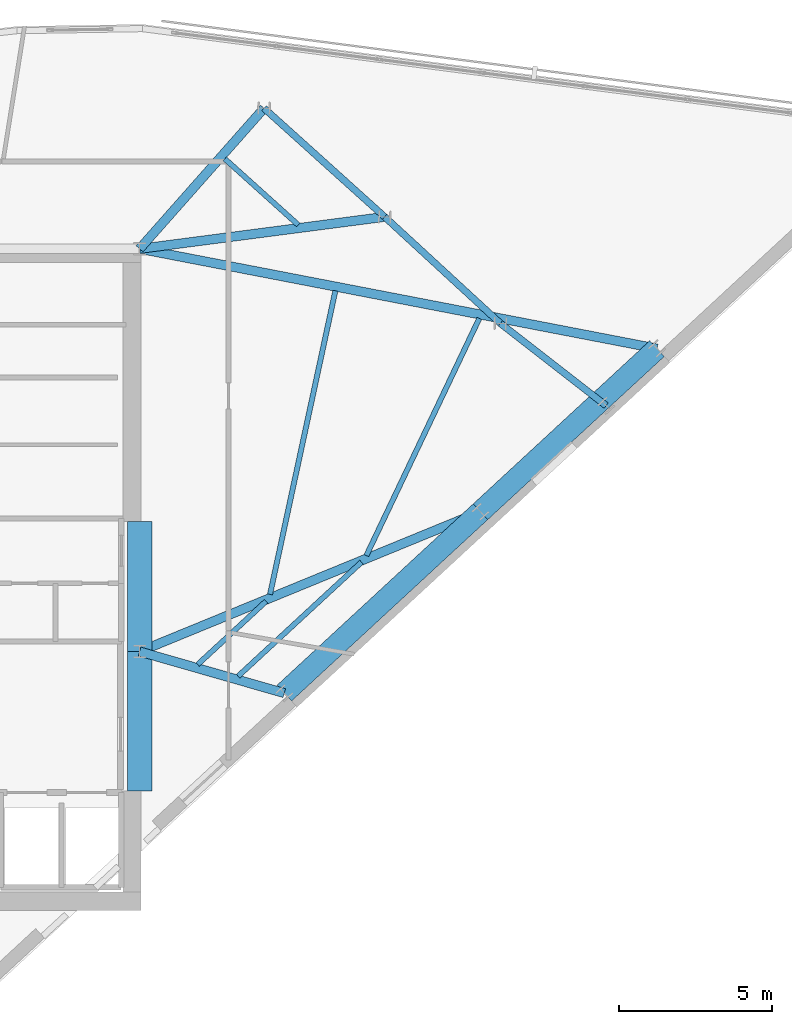
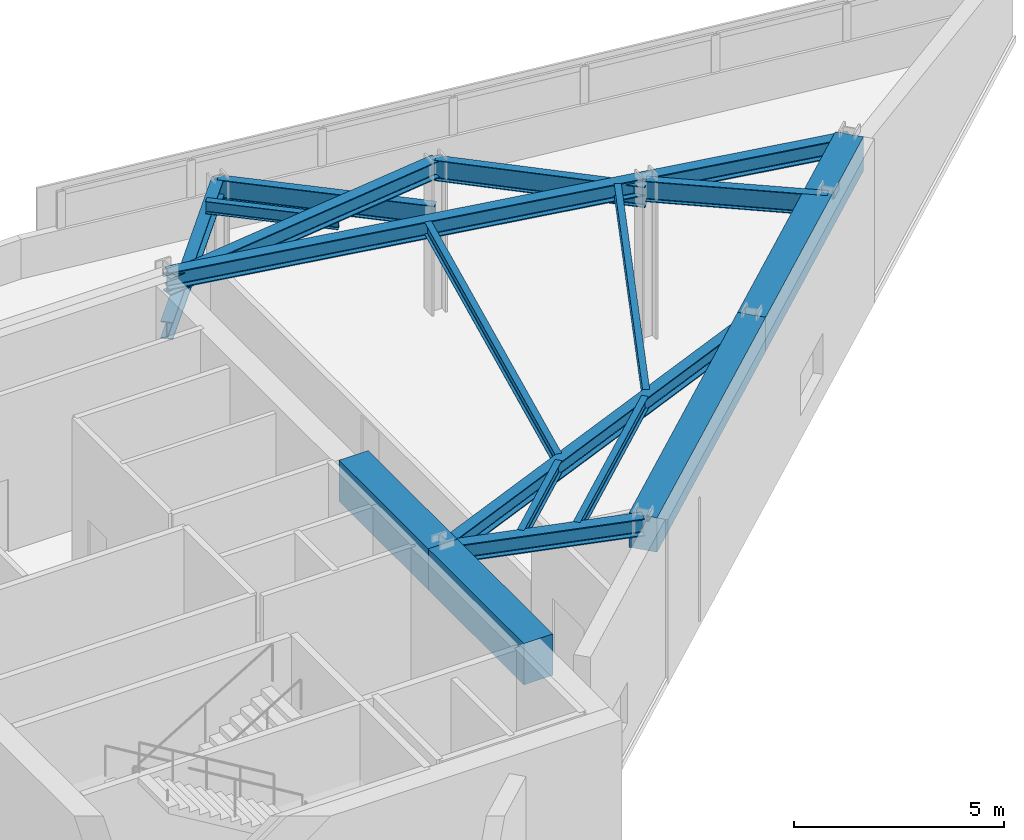
# One storey, part 5 of 12: 17 beams.
"""IFC4 building model written with IfcOpenShell, lengths in metres."""

from ifc_helpers import new_model, si_unit, direction, frame, origin, origin_2d, place, context, subcontext, project, spatial, rectangle, i_section, extrude, material, material_profile, profile_set, type_object, element, save


model = new_model("IFC4")

# Units and contexts
model_context = context("Model", 3, precision=1e-05, world=origin(), true_north=direction((0.0, 1.0)))
body_context = subcontext(model_context, "Body", "Model", "MODEL_VIEW")
ifc_project = project(units=[si_unit("LENGTHUNIT", "METRE"), si_unit("AREAUNIT", "SQUARE_METRE"), si_unit("VOLUMEUNIT", "CUBIC_METRE"), si_unit("PLANEANGLEUNIT", "RADIAN"), si_unit("MASSUNIT", "GRAM", prefix="KILO")], contexts=[model_context])

# Site, building, storey
site_placement = place(None, origin())
site = spatial("IfcSite", under=ifc_project, at=site_placement, CompositionType="ELEMENT")
building_placement = place(site_placement, origin())
building = spatial("IfcBuilding", under=site, at=building_placement, Name="Narakoshi Arena Tower", CompositionType="ELEMENT")
storey_placement = place(building_placement, frame((0.0, 0.0, 307.780029296875)))
storey = spatial("IfcBuildingStorey", under=building, at=storey_placement, Name="L83", CompositionType="ELEMENT", Elevation=307.780029296875)

# Beams
ifc_material_1 = material(Name="Concrete C60/75", Category="concrete")
ifc_material_profile_1 = material_profile(ifc_material_1, rectangle(XDim=0.699951171875, YDim=1.0, at=origin_2d()), Name="RCB700x1000")
ifc_profile_set_1 = profile_set([ifc_material_profile_1], Name="Concrete C60/75")
beam_type_1 = type_object("IfcBeamType", Name="BM-CPL-1000", PredefinedType="BEAM", material=ifc_profile_set_1)
beam_1_placement = place(storey_placement, frame((90.2734375, 41.992919921875, 4.099853515625), z_axis=(0.734326819586, 0.678796082809, 0.0), x_axis=(-0.678796082809, 0.734326819586, 0.0)))
element("IfcBeam", 1, at=beam_1_placement, inside=storey, type_object=beam_type_1, Name="L83 Perimeter Edge Girder 01", PredefinedType="BEAM", context=body_context, shape_type="SweptSolid", body=[
    extrude(rectangle(XDim=0.699951171875, YDim=1.0, at=origin_2d()), origin(), (0.0, 0.0, 1.0), 8.72265625),
])
beam_2_placement = place(storey_placement, frame((96.6787109375, 47.913818359375, 4.099853515625), z_axis=(0.734333489286, 0.678788867405, 0.0), x_axis=(-0.678788867405, 0.734333489286, 0.0)))
element("IfcBeam", 2, at=beam_2_placement, inside=storey, type_object=beam_type_1, Name="L83 Perimeter Edge Girder 02", PredefinedType="BEAM", context=body_context, shape_type="SweptSolid", body=[
    extrude(rectangle(XDim=0.699951171875, YDim=1.0, at=origin_2d()), origin(), (0.0, 0.0, 1.0), 7.85009765625),
])
ifc_material_profile_2 = material_profile(ifc_material_1, rectangle(XDim=0.800048828125, YDim=1.199951171875, at=origin_2d()), Name="RCB800x1200")
ifc_profile_set_2 = profile_set([ifc_material_profile_2], Name="Concrete C60/75")
beam_type_2 = type_object("IfcBeamType", Name="BM-CPL-1200", PredefinedType="LINTEL", material=ifc_profile_set_2)
beam_3_placement = place(storey_placement, frame((85.550048828125, 38.800048828125, 4.0), z_axis=(0.0, 1.0, 0.0), x_axis=(-1.0, 0.0, 0.0)))
element("IfcBeam", 3, at=beam_3_placement, inside=storey, type_object=beam_type_2, Name="L83 Core Seismic Coupling Beam 1", PredefinedType="LINTEL", context=body_context, shape_type="SweptSolid", body=[
    extrude(rectangle(XDim=0.800048828125, YDim=1.199951171875, at=origin_2d()), origin(), (0.0, 0.0, 1.0), 4.550048828125),
])
beam_4_placement = place(storey_placement, frame((85.550048828125, 43.35009765625, 4.0), z_axis=(0.0, 1.0, 0.0), x_axis=(-1.0, 0.0, 0.0)))
element("IfcBeam", 4, at=beam_4_placement, inside=storey, type_object=beam_type_2, Name="L83 Core Seismic Coupling Beam 2", PredefinedType="LINTEL", context=body_context, shape_type="SweptSolid", body=[
    extrude(rectangle(XDim=0.800048828125, YDim=1.199951171875, at=origin_2d()), origin(), (0.0, 0.0, 1.0), 4.25),
])
ifc_material_2 = material(Name="Structural steel S355J2", Category="steel")
ifc_material_profile_3 = material_profile(ifc_material_2, i_section(OverallWidth=0.219970703125, OverallDepth=0.60009765625, WebThickness=0.011962890625, FlangeThickness=0.01904296875, FilletRadius=0.02392578125, at=origin_2d()), Name="IPE600")
ifc_profile_set_3 = profile_set([ifc_material_profile_3], Name="Structural steel S355J2")
beam_type_3 = type_object("IfcBeamType", Name="BM-EDGE-600", PredefinedType="BEAM", material=ifc_profile_set_3)
beam_5_placement = place(storey_placement, frame((100.78173828125, 51.379638671875, 4.300048828125), z_axis=(-0.789307135535, 0.613998571491, 0.0), x_axis=(-0.613998571491, -0.789307135535, 0.0)))
element("IfcBeam", 5, at=beam_5_placement, inside=storey, type_object=beam_type_3, Name="L83 Perimeter Edge Girder 04", PredefinedType="BEAM", context=body_context, shape_type="SweptSolid", body=[
    extrude(i_section(OverallWidth=0.219970703125, OverallDepth=0.60009765625, WebThickness=0.011962890625, FlangeThickness=0.01904296875, FilletRadius=0.02392578125, at=origin_2d()), origin(), (0.0, 0.0, 1.0), 4.374267578125),
])
beam_6_placement = place(storey_placement, frame((97.3291015625, 54.0654296875, 4.1240234375), z_axis=(-0.735759504933, 0.677242903914, 0.0), x_axis=(-0.677242903914, -0.735759504933, 0.0)))
element("IfcBeam", 6, at=beam_6_placement, inside=storey, type_object=beam_type_3, Name="L83 Perimeter Edge Girder 05", PredefinedType="BEAM", context=body_context, shape_type="SweptSolid", body=[
    extrude(i_section(OverallWidth=0.219970703125, OverallDepth=0.60009765625, WebThickness=0.011962890625, FlangeThickness=0.01904296875, FilletRadius=0.02392578125, at=origin_2d()), origin(), (0.0, 0.0, 1.0), 5.135986328125),
])
beam_7_placement = place(storey_placement, frame((93.55029296875, 57.543701171875, 2.7841796875), z_axis=(-0.743147547665, 0.66912758305, 0.0), x_axis=(-0.66912758305, -0.743147547665, 0.0)))
element("IfcBeam", 7, at=beam_7_placement, inside=storey, type_object=beam_type_3, Name="L83 Perimeter Edge Girder 06", PredefinedType="BEAM", context=body_context, shape_type="SweptSolid", body=[
    extrude(i_section(OverallWidth=0.219970703125, OverallDepth=0.60009765625, WebThickness=0.011962890625, FlangeThickness=0.01904296875, FilletRadius=0.02392578125, at=origin_2d()), origin(), (0.0, 0.0, 1.0), 5.30029296875),
])
ifc_material_profile_4 = material_profile(ifc_material_2, i_section(OverallWidth=0.300048828125, OverallDepth=0.5, WebThickness=0.014404296875, FlangeThickness=0.028076171875, FilletRadius=0.027099609375, at=origin_2d()), Name="HE500B")
ifc_profile_set_4 = profile_set([ifc_material_profile_4], Name="Structural steel S355J2")
beam_type_4 = type_object("IfcBeamType", Name="BM-PRI-500", PredefinedType="BEAM", material=ifc_profile_set_4)
beam_8_placement = place(storey_placement, frame((85.550048828125, 43.35009765625, 4.349853515625), z_axis=(0.961112330887, -0.276157721993, 0.0), x_axis=(0.276157721993, 0.961112330887, 0.0)))
element("IfcBeam", 8, at=beam_8_placement, inside=storey, type_object=beam_type_4, Name="L83 Radial Primary Floor Girder 01", PredefinedType="BEAM", context=body_context, shape_type="SweptSolid", body=[
    extrude(i_section(OverallWidth=0.300048828125, OverallDepth=0.5, WebThickness=0.014404296875, FlangeThickness=0.028076171875, FilletRadius=0.027099609375, at=origin_2d()), origin(), (0.0, 0.0, 1.0), 4.91455078125),
])
beam_9_placement = place(storey_placement, frame((85.550048828125, 43.35009765625, 4.349853515625), z_axis=(0.925223618811, 0.379422265021, 0.0), x_axis=(-0.379422265021, 0.925223618811, 0.0)))
element("IfcBeam", 9, at=beam_9_placement, inside=storey, type_object=beam_type_4, Name="L83 Radial Primary Floor Girder 02", PredefinedType="BEAM", context=body_context, shape_type="SweptSolid", body=[
    extrude(i_section(OverallWidth=0.300048828125, OverallDepth=0.5, WebThickness=0.014404296875, FlangeThickness=0.028076171875, FilletRadius=0.027099609375, at=origin_2d()), origin(), (0.0, 0.0, 1.0), 12.028076171875),
])
beam_10_placement = place(storey_placement, frame((85.550048828125, 56.5, 4.349853515625), z_axis=(0.98191087483, -0.189343692505, 0.0), x_axis=(0.189343692505, 0.98191087483, 0.0)))
element("IfcBeam", 10, at=beam_10_placement, inside=storey, type_object=beam_type_4, Name="L83 Radial Primary Floor Girder 03", PredefinedType="BEAM", context=body_context, shape_type="SweptSolid", body=[
    extrude(i_section(OverallWidth=0.300048828125, OverallDepth=0.5, WebThickness=0.014404296875, FlangeThickness=0.028076171875, FilletRadius=0.027099609375, at=origin_2d()), origin(), (0.0, 0.0, 1.0), 17.20458984375),
])
beam_11_placement = place(storey_placement, frame((85.550048828125, 56.5, 4.174072265625), z_axis=(0.991597373641, 0.129362469783, 0.0), x_axis=(-0.129362469783, 0.991597373641, 0.0)))
element("IfcBeam", 11, at=beam_11_placement, inside=storey, type_object=beam_type_4, Name="L83 Radial Primary Floor Girder 06", PredefinedType="BEAM", context=body_context, shape_type="SweptSolid", body=[
    extrude(i_section(OverallWidth=0.300048828125, OverallDepth=0.5, WebThickness=0.014404296875, FlangeThickness=0.028076171875, FilletRadius=0.027099609375, at=origin_2d()), origin(), (0.0, 0.0, 1.0), 8.068115234375),
])
beam_12_placement = place(storey_placement, frame((85.550048828125, 56.5, 2.833984375), z_axis=(0.662628886894, 0.748947900894, 0.0), x_axis=(-0.748947900894, 0.662628886894, 0.0)))
element("IfcBeam", 12, at=beam_12_placement, inside=storey, type_object=beam_type_4, Name="L83 Radial Primary Floor Girder 07", PredefinedType="BEAM", context=body_context, shape_type="SweptSolid", body=[
    extrude(i_section(OverallWidth=0.300048828125, OverallDepth=0.5, WebThickness=0.014404296875, FlangeThickness=0.028076171875, FilletRadius=0.027099609375, at=origin_2d()), origin(), (0.0, 0.0, 1.0), 6.129150390625),
])
ifc_material_profile_5 = material_profile(ifc_material_2, i_section(OverallWidth=0.169921875, OverallDepth=0.360107421875, WebThickness=0.008056640625, FlangeThickness=0.0126953125, FilletRadius=0.01806640625, at=origin_2d()), Name="IPE360")
ifc_profile_set_5 = profile_set([ifc_material_profile_5], Name="Structural steel S355J2")
beam_type_5 = type_object("IfcBeamType", Name="BM-SEC-360", PredefinedType="JOIST", material=ifc_profile_set_5)
beam_13_placement = place(storey_placement, frame((87.444091796875, 42.92578125, 4.419921875), z_axis=(0.734268297495, 0.678859386982, 0.0), x_axis=(-0.678859386982, 0.734268297495, 0.0)))
element("IfcBeam", 13, at=beam_13_placement, inside=storey, type_object=beam_type_5, Name="L83 Composite Secondary Floor Joist 01", PredefinedType="JOIST", context=body_context, shape_type="SweptSolid", body=[
    extrude(i_section(OverallWidth=0.169921875, OverallDepth=0.360107421875, WebThickness=0.008056640625, FlangeThickness=0.0126953125, FilletRadius=0.01806640625, at=origin_2d()), origin(), (0.0, 0.0, 1.0), 3.044677734375),
])
beam_14_placement = place(storey_placement, frame((88.7666015625, 42.5458984375, 4.419921875), z_axis=(0.734325629348, 0.678797370415, 0.0), x_axis=(-0.678797370415, 0.734325629348, 0.0)))
element("IfcBeam", 14, at=beam_14_placement, inside=storey, type_object=beam_type_5, Name="L83 Composite Secondary Floor Joist 02", PredefinedType="JOIST", context=body_context, shape_type="SweptSolid", body=[
    extrude(i_section(OverallWidth=0.169921875, OverallDepth=0.360107421875, WebThickness=0.008056640625, FlangeThickness=0.0126953125, FilletRadius=0.01806640625, at=origin_2d()), origin(), (0.0, 0.0, 1.0), 5.487060546875),
])
beam_15_placement = place(storey_placement, frame((89.807373046875, 45.21630859375, 4.419921875), z_axis=(0.210415196276, 0.977612113865, 0.0), x_axis=(-0.977612113865, 0.210415196276, 0.0)))
element("IfcBeam", 15, at=beam_15_placement, inside=storey, type_object=beam_type_5, Name="L83 Composite Secondary Floor Joist 03", PredefinedType="JOIST", context=body_context, shape_type="SweptSolid", body=[
    extrude(i_section(OverallWidth=0.169921875, OverallDepth=0.360107421875, WebThickness=0.008056640625, FlangeThickness=0.0126953125, FilletRadius=0.01806640625, at=origin_2d()), origin(), (0.0, 0.0, 1.0), 10.140869140625),
])
beam_16_placement = place(storey_placement, frame((92.952880859375, 46.48388671875, 4.419921875), z_axis=(0.430020856008, 0.902818953832, 0.0), x_axis=(-0.902818953832, 0.430020856008, 0.0)))
element("IfcBeam", 16, at=beam_16_placement, inside=storey, type_object=beam_type_5, Name="L83 Composite Secondary Floor Joist 04", PredefinedType="JOIST", context=body_context, shape_type="SweptSolid", body=[
    extrude(i_section(OverallWidth=0.169921875, OverallDepth=0.360107421875, WebThickness=0.008056640625, FlangeThickness=0.0126953125, FilletRadius=0.01806640625, at=origin_2d()), origin(), (0.0, 0.0, 1.0), 8.578125),
])
beam_17_placement = place(storey_placement, frame((90.72998046875, 57.279052734375, 3.70654296875), z_axis=(-0.743154999107, 0.669119307225, 0.0), x_axis=(-0.669119307225, -0.743154999107, 0.0)))
element("IfcBeam", 17, at=beam_17_placement, inside=storey, type_object=beam_type_5, Name="L83 Composite Secondary Floor Joist 05", PredefinedType="JOIST", context=body_context, shape_type="SweptSolid", body=[
    extrude(i_section(OverallWidth=0.169921875, OverallDepth=0.360107421875, WebThickness=0.008056640625, FlangeThickness=0.0126953125, FilletRadius=0.01806640625, at=origin_2d()), origin(), (0.0, 0.0, 1.0), 3.228271484375),
])

save(model, "model.ifc")
